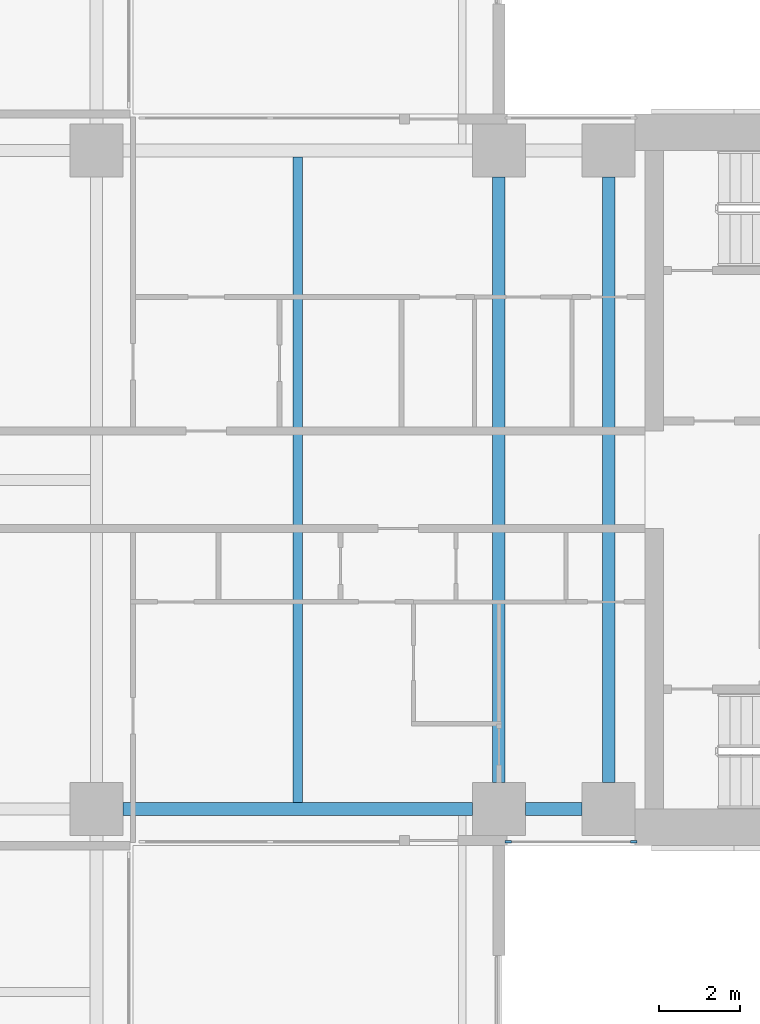
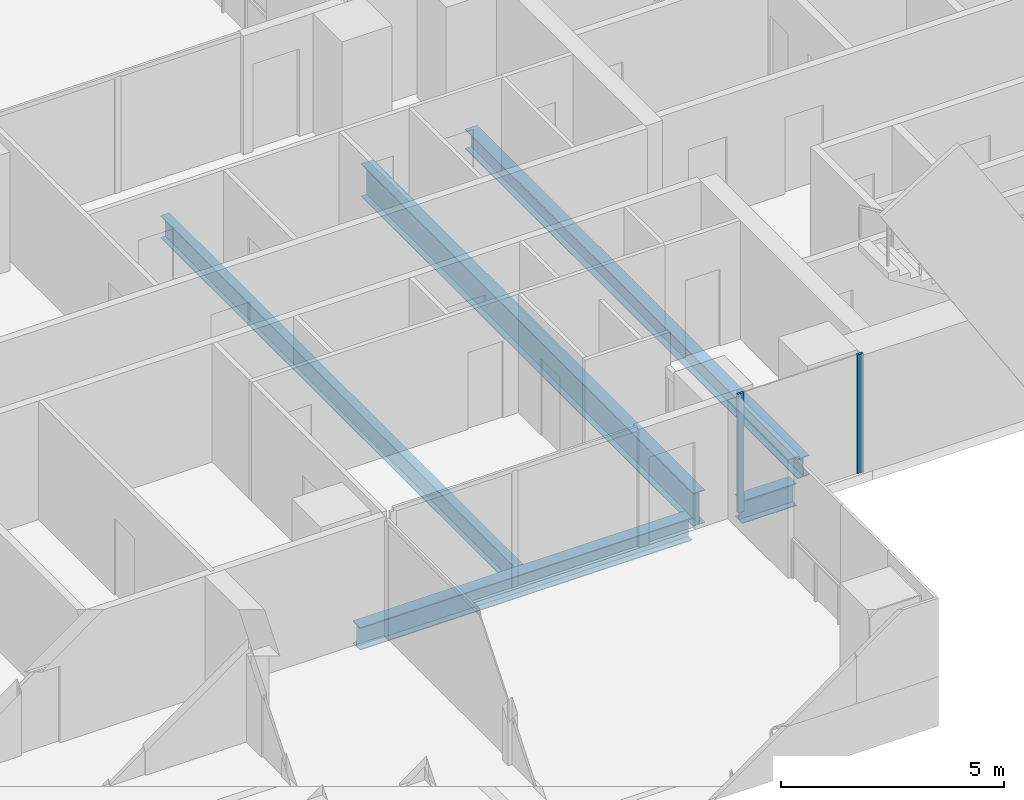
# One storey, part 5 of 23: 5 beams, 2 members, 1 element without a shape of its own.
"""IFC4 building model written with IfcOpenShell, lengths in metres."""

from ifc_helpers import new_model, si_unit, direction, frame, origin, origin_2d, place, context, subcontext, project, spatial, rectangle, i_section, extrude, material, material_profile, profile_set, type_object, element, aggregate, save


model = new_model("IFC4")

# Units and contexts
model_context = context("Model", 3, precision=1e-05, world=origin(), true_north=direction((0.0, 1.0)))
body_context = subcontext(model_context, "Body", "Model", "MODEL_VIEW")
ifc_project = project(units=[si_unit("LENGTHUNIT", "METRE"), si_unit("AREAUNIT", "SQUARE_METRE"), si_unit("VOLUMEUNIT", "CUBIC_METRE"), si_unit("PLANEANGLEUNIT", "RADIAN"), si_unit("MASSUNIT", "GRAM", prefix="KILO")], contexts=[model_context])

# Site, building, storey
site_placement = place(None, origin())
site = spatial("IfcSite", under=ifc_project, at=site_placement, CompositionType="ELEMENT")
building_placement = place(site_placement, origin())
building = spatial("IfcBuilding", under=site, at=building_placement, Name="Perihelion Cross Residences", CompositionType="ELEMENT")
storey_placement = place(building_placement, frame((0.0, 0.0, 61.0)))
storey = spatial("IfcBuildingStorey", under=building, at=storey_placement, Name="L12", CompositionType="ELEMENT", Elevation=61.0)

# Curtain wall, members
ifc_material_1 = material(Name="Bronze anodised aluminium, tinted glazing", Category="aluminium")
curtain_wall_type = type_object("IfcCurtainWallType", Name="CW1", PredefinedType="NOTDEFINED", material=ifc_material_1)
curtain_wall_placement = place(storey_placement, origin())
curtain_wall = element("IfcCurtainWall", 1, at=curtain_wall_placement, inside=storey, type_object=curtain_wall_type, Name="Curtain wall CW1 L12 east side south bay 2", PredefinedType="NOTDEFINED")
ifc_material_2 = material(Name="Bronze anodised aluminium", Category="aluminium")
ifc_material_profile_1 = material_profile(ifc_material_2, rectangle(XDim=0.06005859375, YDim=0.159912109375, at=origin_2d()), Name="CW1 mullion")
ifc_profile_set_1 = profile_set([ifc_material_profile_1], Name="Bronze anodised aluminium")
member_type = type_object("IfcMemberType", Name="CW1 mullion", PredefinedType="MULLION", material=ifc_profile_set_1)
member_1_placement = place(storey_placement, frame((18.22998046875, -8.89990234375, 0.0), z_axis=(0.0, 0.0, 1.0), x_axis=(0.0, 1.0, 0.0)))
member_1 = element("IfcMember", 2, at=member_1_placement, type_object=member_type, Name="CW1 mullion 1", PredefinedType="MULLION", context=body_context, shape_type="SweptSolid", body=[
    extrude(rectangle(XDim=0.06005859375, YDim=0.159912109375, at=origin_2d()), origin(), (0.0, 0.0, 1.0), 3.25),
])
member_2_placement = place(storey_placement, frame((21.320068359375, -8.89990234375, 0.0), z_axis=(0.0, 0.0, 1.0), x_axis=(0.0, 1.0, 0.0)))
member_2 = element("IfcMember", 3, at=member_2_placement, type_object=member_type, Name="CW1 mullion 2", PredefinedType="MULLION", context=body_context, shape_type="SweptSolid", body=[
    extrude(rectangle(XDim=0.06005859375, YDim=0.159912109375, at=origin_2d()), origin(), (0.0, 0.0, 1.0), 3.25),
])
aggregate(curtain_wall, [member_1, member_2])

# Beams
ifc_material_3 = material(Name="Steel S355", Category="steel")
ifc_material_profile_2 = material_profile(ifc_material_3, i_section(OverallWidth=0.31201171875, OverallDepth=0.5439453125, WebThickness=0.0126953125, FlangeThickness=0.020263671875, at=origin_2d()), Name="W530x150")
ifc_profile_set_2 = profile_set([ifc_material_profile_2], Name="Steel S355")
beam_type_1 = type_object("IfcBeamType", Name="Core edge beam W530x150", PredefinedType="BEAM", material=ifc_profile_set_2)
beam_1_placement = place(storey_placement, frame((20.699951171875, -7.449951171875, -0.52197265625), z_axis=(0.0, 1.0, 0.0), x_axis=(-1.0, 0.0, 0.0)))
element("IfcBeam", 4, at=beam_1_placement, inside=storey, type_object=beam_type_1, Name="Core edge beam TB4 L12 no. 2", PredefinedType="BEAM", context=body_context, shape_type="SweptSolid", body=[
    extrude(i_section(OverallWidth=0.31201171875, OverallDepth=0.5439453125, WebThickness=0.0126953125, FlangeThickness=0.020263671875, at=origin_2d()), origin(), (0.0, 0.0, 1.0), 14.89990234375),
])
ifc_material_4 = material(Name="Steel S355", Category="steel")
ifc_material_profile_3 = material_profile(ifc_material_4, i_section(OverallWidth=0.324951171875, OverallDepth=0.616943359375, WebThickness=0.013916015625, FlangeThickness=0.021484375, at=origin_2d()), Name="W610x174")
ifc_profile_set_3 = profile_set([ifc_material_profile_3], Name="Steel S355")
beam_type_2 = type_object("IfcBeamType", Name="Edge beam W610x174", PredefinedType="SPANDREL", material=ifc_profile_set_3)
beam_2_placement = place(storey_placement, frame((8.75, -8.10009765625, -0.55859375), z_axis=(1.0, 0.0, 0.0), x_axis=(0.0, 1.0, 0.0)))
element("IfcBeam", 5, at=beam_2_placement, inside=storey, type_object=beam_type_2, Name="Edge beam SB2 L12 no. 18", PredefinedType="SPANDREL", context=body_context, shape_type="SweptSolid", body=[
    extrude(i_section(OverallWidth=0.324951171875, OverallDepth=0.616943359375, WebThickness=0.013916015625, FlangeThickness=0.021484375, at=origin_2d()), origin(), (0.0, 0.0, 1.0), 8.60009765625),
])
beam_3_placement = place(storey_placement, frame((18.64990234375, -8.10009765625, -0.55859375), z_axis=(1.0, 0.0, 0.0), x_axis=(0.0, 1.0, 0.0)))
element("IfcBeam", 6, at=beam_3_placement, inside=storey, type_object=beam_type_2, Name="Edge beam SB2 L12 no. 12", PredefinedType="SPANDREL", context=body_context, shape_type="SweptSolid", body=[
    extrude(i_section(OverallWidth=0.324951171875, OverallDepth=0.616943359375, WebThickness=0.013916015625, FlangeThickness=0.021484375, at=origin_2d()), origin(), (0.0, 0.0, 1.0), 1.400146484375),
])
ifc_material_5 = material(Name="Steel S355", Category="steel")
ifc_material_profile_4 = material_profile(ifc_material_5, i_section(OverallWidth=0.304931640625, OverallDepth=0.904052734375, WebThickness=0.01513671875, FlangeThickness=0.02001953125, at=origin_2d()), Name="W920x201")
ifc_profile_set_4 = profile_set([ifc_material_profile_4], Name="Steel S355")
beam_type_3 = type_object("IfcBeamType", Name="Floor girder W920x201", PredefinedType="BEAM", material=ifc_profile_set_4)
beam_4_placement = place(storey_placement, frame((18.0, -7.449951171875, -0.701904296875), z_axis=(0.0, 1.0, 0.0), x_axis=(-1.0, 0.0, 0.0)))
element("IfcBeam", 7, at=beam_4_placement, inside=storey, type_object=beam_type_3, Name="Girder G2 L12 no. 2", PredefinedType="BEAM", context=body_context, shape_type="SweptSolid", body=[
    extrude(i_section(OverallWidth=0.304931640625, OverallDepth=0.904052734375, WebThickness=0.01513671875, FlangeThickness=0.02001953125, at=origin_2d()), origin(), (0.0, 0.0, 1.0), 14.89990234375),
])
ifc_material_6 = material(Name="Steel S355", Category="steel")
ifc_material_profile_5 = material_profile(ifc_material_6, i_section(OverallWidth=0.22900390625, OverallDepth=0.612060546875, WebThickness=0.011962890625, FlangeThickness=0.01953125, at=origin_2d()), Name="W610x125")
ifc_profile_set_5 = profile_set([ifc_material_profile_5], Name="Steel S355")
beam_type_4 = type_object("IfcBeamType", Name="Floor joist W610x125", PredefinedType="JOIST", material=ifc_profile_set_5)
beam_5_placement = place(storey_placement, frame((13.050048828125, -7.9375, -0.555908203125), z_axis=(0.0, 1.0, 0.0), x_axis=(-1.0, 0.0, 0.0)))
element("IfcBeam", 8, at=beam_5_placement, inside=storey, type_object=beam_type_4, Name="Joist J3 L12 no. 2", PredefinedType="JOIST", context=body_context, shape_type="SweptSolid", body=[
    extrude(i_section(OverallWidth=0.22900390625, OverallDepth=0.612060546875, WebThickness=0.011962890625, FlangeThickness=0.01953125, at=origin_2d()), origin(), (0.0, 0.0, 1.0), 15.875),
])

save(model, "model.ifc")
